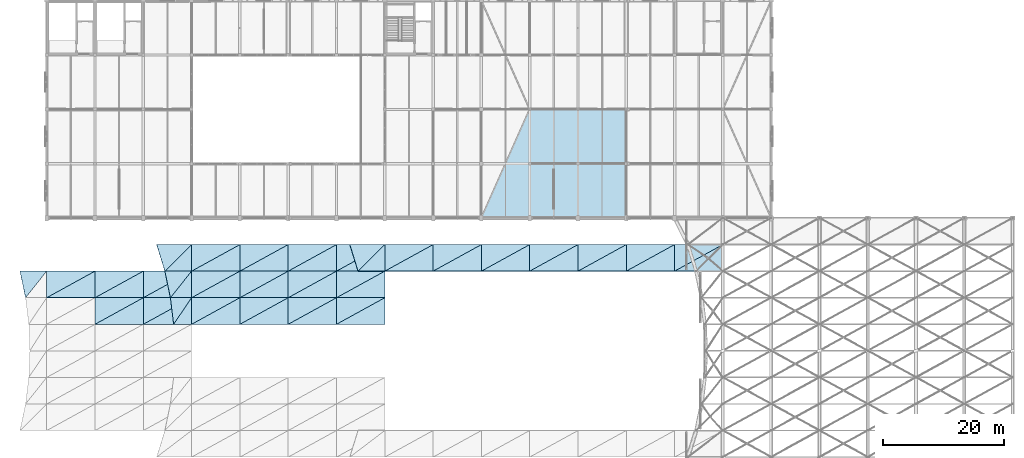
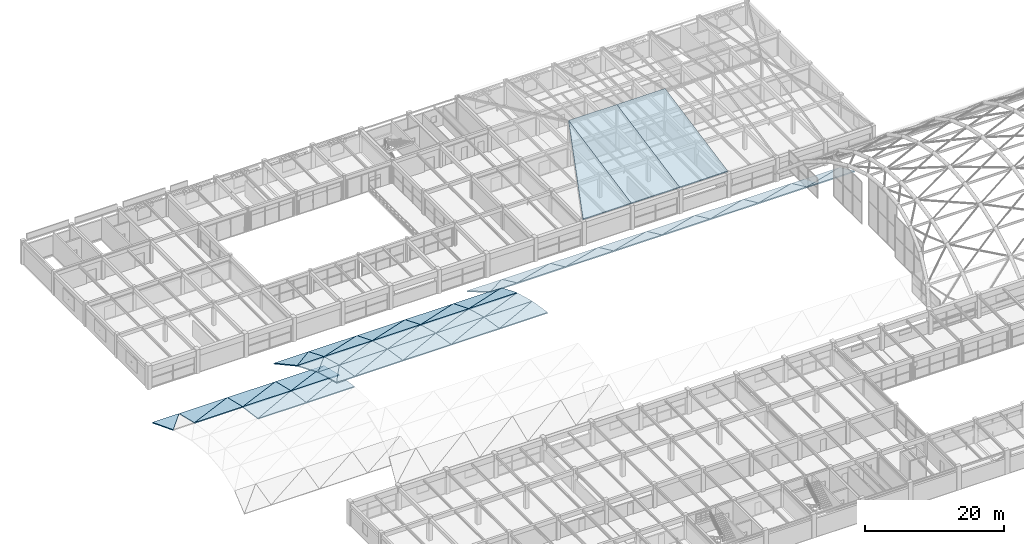
# One storey, part 106 of 126: 60 roofs.
"""IFC4 building model written with IfcOpenShell, lengths in metres."""

from ifc_helpers import new_model, si_unit, direction, frame, origin, place, context, subcontext, project, spatial, polyline, outline, extrude, material, layer, layer_set, type_object, element, save


model = new_model("IFC4")

# Units and contexts
model_context = context("Model", 3, precision=1e-05, world=origin(), true_north=direction((0.0, 1.0)))
body_context = subcontext(model_context, "Body", "Model", "MODEL_VIEW")
ifc_project = project(units=[si_unit("LENGTHUNIT", "METRE"), si_unit("AREAUNIT", "SQUARE_METRE"), si_unit("VOLUMEUNIT", "CUBIC_METRE"), si_unit("PLANEANGLEUNIT", "RADIAN"), si_unit("MASSUNIT", "GRAM", prefix="KILO")], contexts=[model_context])

# Site, building, storey
site_placement = place(None, origin())
site = spatial("IfcSite", under=ifc_project, at=site_placement, CompositionType="ELEMENT")
building_placement = place(site_placement, origin())
building = spatial("IfcBuilding", under=site, at=building_placement, Name="Varnabhumi Central Station", CompositionType="ELEMENT")
storey_placement = place(building_placement, frame((0.0, 0.0, 16.199951171875)))
storey = spatial("IfcBuildingStorey", under=building, at=storey_placement, Name="L03", CompositionType="ELEMENT", Elevation=16.199951171875)

# Roofs
ifc_material_1 = material(Name="Terracotta clay Mission barrel tile", Category="masonry")
ifc_layer_1 = layer(ifc_material_1, 0.179931640625, Name="Terracotta clay Mission barrel tile", Category="masonry")
ifc_layer_set_1 = layer_set([ifc_layer_1], Name="Terracotta clay Mission barrel tile")
roof_type_1 = type_object("IfcRoofType", Name="ROOF-MISSION-HIP", PredefinedType="HIP_ROOF", material=ifc_layer_set_1)
roof_1_placement = place(storey_placement, frame((96.0, 80.0, 4.402099609375), z_axis=(0.0, -0.193651232285, 0.981070435919), x_axis=(1.0, 0.0, 0.0)))
element("IfcRoof", 1, at=roof_1_placement, inside=storey, type_object=roof_type_1, Name="Clay Barrel-Tile Roof Slope NW4-1S", PredefinedType="HIP_ROOF", context=body_context, shape_type="SweptSolid", body=[
    extrude(outline(polyline([(0.0, 0.0), (8.0, 0.0), (8.0, 18.347306514376786), (0.0, 0.0)])), origin(), (0.0, 0.0, -1.0), 0.179931640625),
])
for number, where, z_axis, x_axis, name in (
    (2, (104.0, 80.0, 4.402099609375), (0.0, -0.193651232285, 0.981070435919), (1.0, 0.0, 0.0), "Clay Barrel-Tile Roof Slope NW4-2S"),
    (3, (112.0, 80.0, 4.402099609375), (0.0, -0.193651232285, 0.981070435919), (1.0, 0.0, 0.0), "Clay Barrel-Tile Roof Slope NW4-3S"),
):
    element("IfcRoof", number, at=place(storey_placement, frame(where, z_axis=z_axis, x_axis=x_axis)), inside=storey, type_object=roof_type_1, Name=name, PredefinedType="HIP_ROOF", context=body_context, shape_type="SweptSolid", body=[
        extrude(outline(polyline([(0.0, 0.0), (8.0, 0.0), (8.0, 18.347306514376786), (0.0, 18.347306514376786), (0.0, 0.0)])), origin(), (0.0, 0.0, -1.0), 0.179931640625),
    ])
ifc_material_2 = material(Name="Champagne bronze diamond metal panel")
ifc_layer_2 = layer(ifc_material_2, 0.159912109375, Name="Champagne bronze diamond metal panel")
ifc_layer_set_2 = layer_set([ifc_layer_2], Name="Champagne bronze diamond metal panel")
roof_type_2 = type_object("IfcRoofType", Name="ROOF-VAULT-BARREL", PredefinedType="BARREL_ROOF", material=ifc_layer_set_2)
roof_2_placement = place(storey_placement, frame((20.491455078125, 66.800048828125, 1.933837890625), z_axis=(0.0, 0.2331035559, 0.972451917694), x_axis=(0.612792348255, 0.76847426764, -0.184208680291)))
element("IfcRoof", 4, at=roof_2_placement, inside=storey, type_object=roof_type_2, Name="Entrance Portico Vault Diamond Shell Panel 1-8B", PredefinedType="BARREL_ROOF", context=body_context, shape_type="SweptSolid", body=[
    extrude(outline(polyline([(0.0, 0.0), (5.725503805431261, 2.7755575615628914e-16), (3.0153638179690674, 3.494938863039275), (0.0, 0.0)])), origin(), (0.0, 0.0, -1.0), 0.159912109375),
])
roof_3_placement = place(storey_placement, frame((24.0, 66.800048828125, 1.933837890625), z_axis=(0.0, 0.2331035559, 0.972451917694), x_axis=(1.0, 0.0, 0.0)))
element("IfcRoof", 5, at=roof_3_placement, inside=storey, type_object=roof_type_2, Name="Entrance Portico Vault Diamond Shell Panel 2-8A", PredefinedType="BARREL_ROOF", context=body_context, shape_type="SweptSolid", body=[
    extrude(outline(polyline([(0.0, 0.0), (8.0, 0.0), (8.0, 4.524544878459379), (0.0, 0.0)])), origin(), (0.0, 0.0, -1.0), 0.159912109375),
])
roof_4_placement = place(storey_placement, frame((24.0, 66.800048828125, 1.933837890625), z_axis=(0.0, 0.2331035559, 0.972451917694), x_axis=(0.870432037619, 0.478726995299, -0.114754223709)))
element("IfcRoof", 6, at=roof_4_placement, inside=storey, type_object=roof_type_2, Name="Entrance Portico Vault Diamond Shell Panel 2-8B", PredefinedType="BARREL_ROOF", context=body_context, shape_type="SweptSolid", body=[
    extrude(outline(polyline([(0.0, 0.0), (9.190838174899664, -4.718447854656915e-16), (2.2273818739515, 3.9383088178538386), (0.0, 0.0)])), origin(), (0.0, 0.0, -1.0), 0.159912109375),
])
roof_5_placement = place(storey_placement, frame((32.0, 62.39990234375, 2.5458984375), z_axis=(0.0, 0.138420407303, 0.99037356126), x_axis=(1.0, 0.0, 0.0)))
element("IfcRoof", 7, at=roof_5_placement, inside=storey, type_object=roof_type_2, Name="Entrance Portico Vault Diamond Shell Panel 3-7A", PredefinedType="BARREL_ROOF", context=body_context, shape_type="SweptSolid", body=[
    extrude(outline(polyline([(0.0, 0.0), (8.0, 0.0), (8.0, 4.442915942524041), (0.0, 0.0)])), origin(), (0.0, 0.0, -1.0), 0.159912109375),
])
roof_6_placement = place(storey_placement, frame((32.0, 62.39990234375, 2.5458984375), z_axis=(0.0, 0.138420407303, 0.99037356126), x_axis=(0.874228176797, 0.480841504835, -0.067205223918)))
element("IfcRoof", 8, at=roof_6_placement, inside=storey, type_object=roof_type_2, Name="Entrance Portico Vault Diamond Shell Panel 3-7B", PredefinedType="BARREL_ROOF", context=body_context, shape_type="SweptSolid", body=[
    extrude(outline(polyline([(0.0, 0.0), (9.15092902782741, -1.8041124150158794e-16), (2.157103613448174, 3.8841223040969144), (0.0, 0.0)])), origin(), (0.0, 0.0, -1.0), 0.159912109375),
])
roof_7_placement = place(storey_placement, frame((32.0, 66.800048828125, 1.933837890625), z_axis=(0.0, 0.2331035559, 0.972451917694), x_axis=(1.0, 0.0, 0.0)))
element("IfcRoof", 9, at=roof_7_placement, inside=storey, type_object=roof_type_2, Name="Entrance Portico Vault Diamond Shell Panel 3-8A", PredefinedType="BARREL_ROOF", context=body_context, shape_type="SweptSolid", body=[
    extrude(outline(polyline([(0.0, 0.0), (8.0, 0.0), (8.0, 4.524544878459379), (0.0, 0.0)])), origin(), (0.0, 0.0, -1.0), 0.159912109375),
])
roof_8_placement = place(storey_placement, frame((32.0, 66.800048828125, 1.933837890625), z_axis=(0.0, 0.2331035559, 0.972451917694), x_axis=(0.870432037619, 0.478726995299, -0.114754223709)))
element("IfcRoof", 10, at=roof_8_placement, inside=storey, type_object=roof_type_2, Name="Entrance Portico Vault Diamond Shell Panel 3-8B", PredefinedType="BARREL_ROOF", context=body_context, shape_type="SweptSolid", body=[
    extrude(outline(polyline([(0.0, 0.0), (9.190838174899664, -4.718447854656915e-16), (2.2273818739515, 3.9383088178538386), (0.0, 0.0)])), origin(), (0.0, 0.0, -1.0), 0.159912109375),
])
roof_9_placement = place(storey_placement, frame((40.0, 62.39990234375, 2.5458984375), z_axis=(0.0, 0.138420407303, 0.99037356126), x_axis=(1.0, 0.0, 0.0)))
element("IfcRoof", 11, at=roof_9_placement, inside=storey, type_object=roof_type_2, Name="Entrance Portico Vault Diamond Shell Panel 4-7A", PredefinedType="BARREL_ROOF", context=body_context, shape_type="SweptSolid", body=[
    extrude(outline(polyline([(0.0, 0.0), (8.0, 0.0), (8.0, 4.442915942524041), (0.0, 0.0)])), origin(), (0.0, 0.0, -1.0), 0.159912109375),
])
roof_10_placement = place(storey_placement, frame((40.0, 62.39990234375, 2.5458984375), z_axis=(0.0, 0.138420407303, 0.99037356126), x_axis=(0.874228176797, 0.480841504835, -0.067205223918)))
element("IfcRoof", 12, at=roof_10_placement, inside=storey, type_object=roof_type_2, Name="Entrance Portico Vault Diamond Shell Panel 4-7B", PredefinedType="BARREL_ROOF", context=body_context, shape_type="SweptSolid", body=[
    extrude(outline(polyline([(0.0, 0.0), (9.15092902782741, -1.8041124150158794e-16), (2.157103613448174, 3.8841223040969144), (0.0, 0.0)])), origin(), (0.0, 0.0, -1.0), 0.159912109375),
])
roof_11_placement = place(storey_placement, frame((40.0, 66.800048828125, 1.933837890625), z_axis=(0.0, 0.2331035559, 0.972451917694), x_axis=(1.0, 0.0, 0.0)))
element("IfcRoof", 13, at=roof_11_placement, inside=storey, type_object=roof_type_2, Name="Entrance Portico Vault Diamond Shell Panel 4-8A", PredefinedType="BARREL_ROOF", context=body_context, shape_type="SweptSolid", body=[
    extrude(outline(polyline([(0.0, 0.0), (8.0, 0.0), (8.0, 4.524544878459379), (0.0, 0.0)])), origin(), (0.0, 0.0, -1.0), 0.159912109375),
])
roof_12_placement = place(storey_placement, frame((40.0, 66.800048828125, 1.933837890625), z_axis=(0.0, 0.2331035559, 0.972451917694), x_axis=(0.870432037619, 0.478726995299, -0.114754223709)))
element("IfcRoof", 14, at=roof_12_placement, inside=storey, type_object=roof_type_2, Name="Entrance Portico Vault Diamond Shell Panel 4-8B", PredefinedType="BARREL_ROOF", context=body_context, shape_type="SweptSolid", body=[
    extrude(outline(polyline([(0.0, 0.0), (9.190838174899664, -4.718447854656915e-16), (2.2273818739515, 3.9383088178538386), (0.0, 0.0)])), origin(), (0.0, 0.0, -1.0), 0.159912109375),
])
roof_13_placement = place(storey_placement, frame((45.0244140625, 62.39990234375, 4.320068359375), z_axis=(0.0, 0.156457839535, 0.987684638155), x_axis=(1.0, 0.0, 0.0)))
element("IfcRoof", 15, at=roof_13_placement, inside=storey, type_object=roof_type_2, Name="Ticket Hall Vault Diamond Shell Panel 1-7A", PredefinedType="BARREL_ROOF", context=body_context, shape_type="SweptSolid", body=[
    extrude(outline(polyline([(0.0, 0.0), (2.9755859375, 0.0), (2.9755859375, 4.455011563805194), (0.0, 0.0)])), origin(), (0.0, 0.0, -1.0), 0.159912109375),
])
roof_14_placement = place(storey_placement, frame((45.0244140625, 62.39990234375, 4.320068359375), z_axis=(0.0, 0.156457839535, 0.987684638155), x_axis=(0.555420838405, 0.821328336935, -0.130105554122)))
element("IfcRoof", 16, at=roof_14_placement, inside=storey, type_object=roof_type_2, Name="Ticket Hall Vault Diamond Shell Panel 1-7B", PredefinedType="BARREL_ROOF", context=body_context, shape_type="SweptSolid", body=[
    extrude(outline(polyline([(0.0, 0.0), (5.357353796893179, 1.0408340855860843e-16), (3.408634834805476, 2.9175986488231516), (0.0, 0.0)])), origin(), (0.0, 0.0, -1.0), 0.159912109375),
])
roof_15_placement = place(storey_placement, frame((44.491455078125, 66.800048828125, 3.626708984375), z_axis=(0.0, 0.262165789998, 0.965022848722), x_axis=(1.0, 0.0, 0.0)))
element("IfcRoof", 17, at=roof_15_placement, inside=storey, type_object=roof_type_2, Name="Ticket Hall Vault Diamond Shell Panel 1-8A", PredefinedType="BARREL_ROOF", context=body_context, shape_type="SweptSolid", body=[
    extrude(outline(polyline([(0.0, 0.0), (3.508544921875, 0.0), (3.508544921875, 4.559376339719392), (0.0, 0.0)])), origin(), (0.0, 0.0, -1.0), 0.159912109375),
])
roof_16_placement = place(storey_placement, frame((44.491455078125, 66.800048828125, 3.626708984375), z_axis=(0.0, 0.262165789998, 0.965022848722), x_axis=(0.609856247604, 0.764792240924, -0.207769548972)))
element("IfcRoof", 18, at=roof_16_placement, inside=storey, type_object=roof_type_2, Name="Ticket Hall Vault Diamond Shell Panel 1-8B", PredefinedType="BARREL_ROOF", context=body_context, shape_type="SweptSolid", body=[
    extrude(outline(polyline([(0.0, 0.0), (5.753068752935936, 1.1102230246251565e-16), (3.0559139860043665, 3.504969696194555), (0.0, 0.0)])), origin(), (0.0, 0.0, -1.0), 0.159912109375),
])
roof_17_placement = place(storey_placement, frame((43.577392578125, 71.199951171875, 2.438232421875), z_axis=(0.0, 0.37554515505, 0.926804098242), x_axis=(1.0, 0.0, 0.0)))
element("IfcRoof", 19, at=roof_17_placement, inside=storey, type_object=roof_type_2, Name="Ticket Hall Vault Diamond Shell Panel 1-9A", PredefinedType="BARREL_ROOF", context=body_context, shape_type="SweptSolid", body=[
    extrude(outline(polyline([(0.0, 0.0), (4.422607421875, 0.0), (4.422607421875, 4.747655402819501), (0.0, 0.0)])), origin(), (0.0, 0.0, -1.0), 0.159912109375),
])
roof_18_placement = place(storey_placement, frame((43.577392578125, 71.199951171875, 2.438232421875), z_axis=(0.0, 0.37554515505, 0.926804098242), x_axis=(0.681614703944, 0.678153011823, -0.274790625609)))
element("IfcRoof", 20, at=roof_18_placement, inside=storey, type_object=roof_type_2, Name="Ticket Hall Vault Diamond Shell Panel 1-9B", PredefinedType="BARREL_ROOF", context=body_context, shape_type="SweptSolid", body=[
    extrude(outline(polyline([(0.0, 0.0), (6.48842725411521, -1.1102230246251565e-16), (2.5445140501431784, 4.23377863892578), (0.0, 0.0)])), origin(), (0.0, 0.0, -1.0), 0.159912109375),
])
roof_19_placement = place(storey_placement, frame((48.0, 62.39990234375, 4.320068359375), z_axis=(0.0, 0.156457839535, 0.987684638155), x_axis=(1.0, 0.0, 0.0)))
element("IfcRoof", 21, at=roof_19_placement, inside=storey, type_object=roof_type_2, Name="Ticket Hall Vault Diamond Shell Panel 2-7A", PredefinedType="BARREL_ROOF", context=body_context, shape_type="SweptSolid", body=[
    extrude(outline(polyline([(0.0, 0.0), (8.0, 0.0), (8.0, 4.455011563805194), (0.0, 0.0)])), origin(), (0.0, 0.0, -1.0), 0.159912109375),
])
roof_20_placement = place(storey_placement, frame((48.0, 62.39990234375, 4.320068359375), z_axis=(0.0, 0.156457839535, 0.987684638155), x_axis=(0.873666918095, 0.480532802271, -0.076120576512)))
element("IfcRoof", 22, at=roof_20_placement, inside=storey, type_object=roof_type_2, Name="Ticket Hall Vault Diamond Shell Panel 2-7B", PredefinedType="BARREL_ROOF", context=body_context, shape_type="SweptSolid", body=[
    extrude(outline(polyline([(0.0, 0.0), (9.156807742528944, 2.498001805406602e-16), (2.1674723977721726, 3.8921962230254725), (0.0, 0.0)])), origin(), (0.0, 0.0, -1.0), 0.159912109375),
])
roof_21_placement = place(storey_placement, frame((48.0, 66.800048828125, 3.626708984375), z_axis=(0.0, 0.262165789998, 0.965022848722), x_axis=(1.0, 0.0, 0.0)))
element("IfcRoof", 23, at=roof_21_placement, inside=storey, type_object=roof_type_2, Name="Ticket Hall Vault Diamond Shell Panel 2-8A", PredefinedType="BARREL_ROOF", context=body_context, shape_type="SweptSolid", body=[
    extrude(outline(polyline([(0.0, 0.0), (8.0, 0.0), (8.0, 4.559376339719391), (0.0, 0.0)])), origin(), (0.0, 0.0, -1.0), 0.159912109375),
])
roof_22_placement = place(storey_placement, frame((48.0, 66.800048828125, 3.626708984375), z_axis=(0.0, 0.262165789998, 0.965022848722), x_axis=(0.86880640757, 0.477832918616, -0.129811894881)))
element("IfcRoof", 24, at=roof_22_placement, inside=storey, type_object=roof_type_2, Name="Ticket Hall Vault Diamond Shell Panel 2-8B", PredefinedType="BARREL_ROOF", context=body_context, shape_type="SweptSolid", body=[
    extrude(outline(polyline([(0.0, 0.0), (9.208035219697686, 4.996003610813204e-16), (2.2575839591407965, 3.961215378469487), (0.0, 0.0)])), origin(), (0.0, 0.0, -1.0), 0.159912109375),
])
roof_23_placement = place(storey_placement, frame((48.0, 71.199951171875, 2.438232421875), z_axis=(0.0, 0.37554515505, 0.926804098242), x_axis=(1.0, 0.0, 0.0)))
element("IfcRoof", 25, at=roof_23_placement, inside=storey, type_object=roof_type_2, Name="Ticket Hall Vault Diamond Shell Panel 2-9A", PredefinedType="BARREL_ROOF", context=body_context, shape_type="SweptSolid", body=[
    extrude(outline(polyline([(0.0, 0.0), (8.0, 0.0), (8.0, 4.747655402819502), (0.0, 0.0)])), origin(), (0.0, 0.0, -1.0), 0.159912109375),
])
roof_24_placement = place(storey_placement, frame((48.0, 71.199951171875, 2.438232421875), z_axis=(0.0, 0.37554515505, 0.926804098242), x_axis=(0.859965363866, 0.472996696562, -0.19166037147)))
element("IfcRoof", 26, at=roof_24_placement, inside=storey, type_object=roof_type_2, Name="Ticket Hall Vault Diamond Shell Panel 2-9B", PredefinedType="BARREL_ROOF", context=body_context, shape_type="SweptSolid", body=[
    extrude(outline(polyline([(0.0, 0.0), (9.302700243688454, -3.3306690738754696e-16), (2.4229773327603397, 4.082819205996122), (0.0, 0.0)])), origin(), (0.0, 0.0, -1.0), 0.159912109375),
])
roof_25_placement = place(storey_placement, frame((56.0, 62.39990234375, 4.320068359375), z_axis=(0.0, 0.156457839535, 0.987684638155), x_axis=(1.0, 0.0, 0.0)))
element("IfcRoof", 27, at=roof_25_placement, inside=storey, type_object=roof_type_2, Name="Ticket Hall Vault Diamond Shell Panel 3-7A", PredefinedType="BARREL_ROOF", context=body_context, shape_type="SweptSolid", body=[
    extrude(outline(polyline([(0.0, 0.0), (8.0, 0.0), (8.0, 4.455011563805194), (0.0, 0.0)])), origin(), (0.0, 0.0, -1.0), 0.159912109375),
])
roof_26_placement = place(storey_placement, frame((56.0, 62.39990234375, 4.320068359375), z_axis=(0.0, 0.156457839535, 0.987684638155), x_axis=(0.873666918095, 0.480532802271, -0.076120576512)))
element("IfcRoof", 28, at=roof_26_placement, inside=storey, type_object=roof_type_2, Name="Ticket Hall Vault Diamond Shell Panel 3-7B", PredefinedType="BARREL_ROOF", context=body_context, shape_type="SweptSolid", body=[
    extrude(outline(polyline([(0.0, 0.0), (9.156807742528944, 2.498001805406602e-16), (2.1674723977721726, 3.8921962230254725), (0.0, 0.0)])), origin(), (0.0, 0.0, -1.0), 0.159912109375),
])
roof_27_placement = place(storey_placement, frame((56.0, 66.800048828125, 3.626708984375), z_axis=(0.0, 0.262165789998, 0.965022848722), x_axis=(1.0, 0.0, 0.0)))
element("IfcRoof", 29, at=roof_27_placement, inside=storey, type_object=roof_type_2, Name="Ticket Hall Vault Diamond Shell Panel 3-8A", PredefinedType="BARREL_ROOF", context=body_context, shape_type="SweptSolid", body=[
    extrude(outline(polyline([(0.0, 0.0), (8.0, 0.0), (8.0, 4.559376339719391), (0.0, 0.0)])), origin(), (0.0, 0.0, -1.0), 0.159912109375),
])
roof_28_placement = place(storey_placement, frame((56.0, 66.800048828125, 3.626708984375), z_axis=(0.0, 0.262165789998, 0.965022848722), x_axis=(0.86880640757, 0.477832918616, -0.129811894881)))
element("IfcRoof", 30, at=roof_28_placement, inside=storey, type_object=roof_type_2, Name="Ticket Hall Vault Diamond Shell Panel 3-8B", PredefinedType="BARREL_ROOF", context=body_context, shape_type="SweptSolid", body=[
    extrude(outline(polyline([(0.0, 0.0), (9.208035219697686, 4.996003610813204e-16), (2.2575839591407965, 3.961215378469487), (0.0, 0.0)])), origin(), (0.0, 0.0, -1.0), 0.159912109375),
])
roof_29_placement = place(storey_placement, frame((56.0, 71.199951171875, 2.438232421875), z_axis=(0.0, 0.37554515505, 0.926804098242), x_axis=(1.0, 0.0, 0.0)))
element("IfcRoof", 31, at=roof_29_placement, inside=storey, type_object=roof_type_2, Name="Ticket Hall Vault Diamond Shell Panel 3-9A", PredefinedType="BARREL_ROOF", context=body_context, shape_type="SweptSolid", body=[
    extrude(outline(polyline([(0.0, 0.0), (8.0, 0.0), (8.0, 4.747655402819502), (0.0, 0.0)])), origin(), (0.0, 0.0, -1.0), 0.159912109375),
])
roof_30_placement = place(storey_placement, frame((56.0, 71.199951171875, 2.438232421875), z_axis=(0.0, 0.37554515505, 0.926804098242), x_axis=(0.859965363866, 0.472996696562, -0.19166037147)))
element("IfcRoof", 32, at=roof_30_placement, inside=storey, type_object=roof_type_2, Name="Ticket Hall Vault Diamond Shell Panel 3-9B", PredefinedType="BARREL_ROOF", context=body_context, shape_type="SweptSolid", body=[
    extrude(outline(polyline([(0.0, 0.0), (9.302700243688454, -3.3306690738754696e-16), (2.4229773327603397, 4.082819205996122), (0.0, 0.0)])), origin(), (0.0, 0.0, -1.0), 0.159912109375),
])
roof_31_placement = place(storey_placement, frame((64.0, 62.39990234375, 4.320068359375), z_axis=(0.0, 0.156457839535, 0.987684638155), x_axis=(1.0, 0.0, 0.0)))
element("IfcRoof", 33, at=roof_31_placement, inside=storey, type_object=roof_type_2, Name="Ticket Hall Vault Diamond Shell Panel 4-7A", PredefinedType="BARREL_ROOF", context=body_context, shape_type="SweptSolid", body=[
    extrude(outline(polyline([(0.0, 0.0), (8.0, 0.0), (8.0, 4.455011563805194), (0.0, 0.0)])), origin(), (0.0, 0.0, -1.0), 0.159912109375),
])
roof_32_placement = place(storey_placement, frame((64.0, 62.39990234375, 4.320068359375), z_axis=(0.0, 0.156457839535, 0.987684638155), x_axis=(0.873666918095, 0.480532802271, -0.076120576512)))
element("IfcRoof", 34, at=roof_32_placement, inside=storey, type_object=roof_type_2, Name="Ticket Hall Vault Diamond Shell Panel 4-7B", PredefinedType="BARREL_ROOF", context=body_context, shape_type="SweptSolid", body=[
    extrude(outline(polyline([(0.0, 0.0), (9.156807742528944, 2.498001805406602e-16), (2.1674723977721726, 3.8921962230254725), (0.0, 0.0)])), origin(), (0.0, 0.0, -1.0), 0.159912109375),
])
roof_33_placement = place(storey_placement, frame((64.0, 66.800048828125, 3.626708984375), z_axis=(0.0, 0.262165789998, 0.965022848722), x_axis=(1.0, 0.0, 0.0)))
element("IfcRoof", 35, at=roof_33_placement, inside=storey, type_object=roof_type_2, Name="Ticket Hall Vault Diamond Shell Panel 4-8A", PredefinedType="BARREL_ROOF", context=body_context, shape_type="SweptSolid", body=[
    extrude(outline(polyline([(0.0, 0.0), (8.0, 0.0), (8.0, 4.559376339719391), (0.0, 0.0)])), origin(), (0.0, 0.0, -1.0), 0.159912109375),
])
roof_34_placement = place(storey_placement, frame((64.0, 66.800048828125, 3.626708984375), z_axis=(0.0, 0.262165789998, 0.965022848722), x_axis=(0.86880640757, 0.477832918616, -0.129811894881)))
element("IfcRoof", 36, at=roof_34_placement, inside=storey, type_object=roof_type_2, Name="Ticket Hall Vault Diamond Shell Panel 4-8B", PredefinedType="BARREL_ROOF", context=body_context, shape_type="SweptSolid", body=[
    extrude(outline(polyline([(0.0, 0.0), (9.208035219697686, 4.996003610813204e-16), (2.2575839591407965, 3.961215378469487), (0.0, 0.0)])), origin(), (0.0, 0.0, -1.0), 0.159912109375),
])
roof_35_placement = place(storey_placement, frame((64.0, 71.199951171875, 2.438232421875), z_axis=(0.0, 0.37554515505, 0.926804098242), x_axis=(1.0, 0.0, 0.0)))
element("IfcRoof", 37, at=roof_35_placement, inside=storey, type_object=roof_type_2, Name="Ticket Hall Vault Diamond Shell Panel 4-9A", PredefinedType="BARREL_ROOF", context=body_context, shape_type="SweptSolid", body=[
    extrude(outline(polyline([(0.0, 0.0), (8.0, 0.0), (8.0, 4.747655402819502), (0.0, 0.0)])), origin(), (0.0, 0.0, -1.0), 0.159912109375),
])
roof_36_placement = place(storey_placement, frame((64.0, 71.199951171875, 2.438232421875), z_axis=(0.0, 0.37554515505, 0.926804098242), x_axis=(0.859965363866, 0.472996696562, -0.19166037147)))
element("IfcRoof", 38, at=roof_36_placement, inside=storey, type_object=roof_type_2, Name="Ticket Hall Vault Diamond Shell Panel 4-9B", PredefinedType="BARREL_ROOF", context=body_context, shape_type="SweptSolid", body=[
    extrude(outline(polyline([(0.0, 0.0), (9.302700243688454, -3.3306690738754696e-16), (2.4229773327603397, 4.082819205996122), (0.0, 0.0)])), origin(), (0.0, 0.0, -1.0), 0.159912109375),
])
roof_37_placement = place(storey_placement, frame((72.0, 62.39990234375, 4.320068359375), z_axis=(0.0, 0.156457839535, 0.987684638155), x_axis=(1.0, 0.0, 0.0)))
element("IfcRoof", 39, at=roof_37_placement, inside=storey, type_object=roof_type_2, Name="Ticket Hall Vault Diamond Shell Panel 5-7A", PredefinedType="BARREL_ROOF", context=body_context, shape_type="SweptSolid", body=[
    extrude(outline(polyline([(0.0, 0.0), (8.0, 0.0), (8.0, 4.455011563805194), (0.0, 0.0)])), origin(), (0.0, 0.0, -1.0), 0.159912109375),
])
roof_38_placement = place(storey_placement, frame((72.0, 62.39990234375, 4.320068359375), z_axis=(0.0, 0.156457839535, 0.987684638155), x_axis=(0.873666918095, 0.480532802271, -0.076120576512)))
element("IfcRoof", 40, at=roof_38_placement, inside=storey, type_object=roof_type_2, Name="Ticket Hall Vault Diamond Shell Panel 5-7B", PredefinedType="BARREL_ROOF", context=body_context, shape_type="SweptSolid", body=[
    extrude(outline(polyline([(0.0, 0.0), (9.156807742528944, 2.498001805406602e-16), (2.1674723977721726, 3.8921962230254725), (0.0, 0.0)])), origin(), (0.0, 0.0, -1.0), 0.159912109375),
])
roof_39_placement = place(storey_placement, frame((72.0, 66.800048828125, 3.626708984375), z_axis=(0.0, 0.262165789998, 0.965022848722), x_axis=(1.0, 0.0, 0.0)))
element("IfcRoof", 41, at=roof_39_placement, inside=storey, type_object=roof_type_2, Name="Ticket Hall Vault Diamond Shell Panel 5-8A", PredefinedType="BARREL_ROOF", context=body_context, shape_type="SweptSolid", body=[
    extrude(outline(polyline([(0.0, 0.0), (8.0, 0.0), (8.0, 4.559376339719391), (0.0, 0.0)])), origin(), (0.0, 0.0, -1.0), 0.159912109375),
])
roof_40_placement = place(storey_placement, frame((72.0, 66.800048828125, 3.626708984375), z_axis=(0.0, 0.262165789998, 0.965022848722), x_axis=(0.86880640757, 0.477832918616, -0.129811894881)))
element("IfcRoof", 42, at=roof_40_placement, inside=storey, type_object=roof_type_2, Name="Ticket Hall Vault Diamond Shell Panel 5-8B", PredefinedType="BARREL_ROOF", context=body_context, shape_type="SweptSolid", body=[
    extrude(outline(polyline([(0.0, 0.0), (9.208035219697686, 4.996003610813204e-16), (2.2575839591407965, 3.961215378469487), (0.0, 0.0)])), origin(), (0.0, 0.0, -1.0), 0.159912109375),
])
roof_41_placement = place(storey_placement, frame((72.0, 71.199951171875, 2.438232421875), z_axis=(0.0, 0.37554515505, 0.926804098242), x_axis=(1.0, 0.0, 0.0)))
element("IfcRoof", 43, at=roof_41_placement, inside=storey, type_object=roof_type_2, Name="Ticket Hall Vault Diamond Shell Panel 5-9A", PredefinedType="BARREL_ROOF", context=body_context, shape_type="SweptSolid", body=[
    extrude(outline(polyline([(0.0, 0.0), (8.0, 0.0), (8.0, 4.747655402819502), (0.0, 0.0)])), origin(), (0.0, 0.0, -1.0), 0.159912109375),
])
roof_42_placement = place(storey_placement, frame((72.0, 71.199951171875, 2.438232421875), z_axis=(0.0, 0.37554515505, 0.926804098242), x_axis=(0.859965363866, 0.472996696562, -0.19166037147)))
element("IfcRoof", 44, at=roof_42_placement, inside=storey, type_object=roof_type_2, Name="Ticket Hall Vault Diamond Shell Panel 5-9B", PredefinedType="BARREL_ROOF", context=body_context, shape_type="SweptSolid", body=[
    extrude(outline(polyline([(0.0, 0.0), (9.302700243688454, -3.3306690738754696e-16), (2.4229773327603397, 4.082819205996122), (0.0, 0.0)])), origin(), (0.0, 0.0, -1.0), 0.159912109375),
])
roof_43_placement = place(storey_placement, frame((75.577392578125, 71.199951171875, 4.1552734375), z_axis=(0.0, 0.421449816984, 0.906851725347), x_axis=(1.0, 0.0, 0.0)))
element("IfcRoof", 45, at=roof_43_placement, inside=storey, type_object=roof_type_2, Name="Departure Concourse Vault Diamond Shell Panel 1-9A", PredefinedType="BARREL_ROOF", context=body_context, shape_type="SweptSolid", body=[
    extrude(outline(polyline([(0.0, 0.0), (4.422607421875, 0.0), (4.422607421875, 4.852112381098689), (0.0, 0.0)])), origin(), (0.0, 0.0, -1.0), 0.159912109375),
])
roof_44_placement = place(storey_placement, frame((75.577392578125, 71.199951171875, 4.1552734375), z_axis=(0.0, 0.421449816984, 0.906851725347), x_axis=(0.673639286459, 0.670218098805, -0.311476823814)))
element("IfcRoof", 46, at=roof_44_placement, inside=storey, type_object=roof_type_2, Name="Departure Concourse Vault Diamond Shell Panel 1-9B", PredefinedType="BARREL_ROOF", context=body_context, shape_type="SweptSolid", body=[
    extrude(outline(polyline([(0.0, 0.0), (6.565245689754118, -3.3306690738754696e-16), (2.66747931058372, 4.276300992364552), (0.0, 0.0)])), origin(), (0.0, 0.0, -1.0), 0.159912109375),
])
roof_45_placement = place(storey_placement, frame((80.0, 71.199951171875, 4.1552734375), z_axis=(0.0, 0.421449816984, 0.906851725347), x_axis=(1.0, 0.0, 0.0)))
element("IfcRoof", 47, at=roof_45_placement, inside=storey, type_object=roof_type_2, Name="Departure Concourse Vault Diamond Shell Panel 2-9A", PredefinedType="BARREL_ROOF", context=body_context, shape_type="SweptSolid", body=[
    extrude(outline(polyline([(0.0, 0.0), (8.0, 0.0), (8.0, 4.852112381098689), (0.0, 0.0)])), origin(), (0.0, 0.0, -1.0), 0.159912109375),
])
roof_46_placement = place(storey_placement, frame((80.0, 71.199951171875, 4.1552734375), z_axis=(0.0, 0.421449816984, 0.906851725347), x_axis=(0.855025934416, 0.470279919921, -0.218557654623)))
element("IfcRoof", 48, at=roof_46_placement, inside=storey, type_object=roof_type_2, Name="Departure Concourse Vault Diamond Shell Panel 2-9B", PredefinedType="BARREL_ROOF", context=body_context, shape_type="SweptSolid", body=[
    extrude(outline(polyline([(0.0, 0.0), (9.35644134053173, -1.1102230246251565e-16), (2.516233865200851, 4.148681922542095), (0.0, 0.0)])), origin(), (0.0, 0.0, -1.0), 0.159912109375),
])
roof_47_placement = place(storey_placement, frame((88.0, 71.199951171875, 4.1552734375), z_axis=(0.0, 0.421449816984, 0.906851725347), x_axis=(1.0, 0.0, 0.0)))
element("IfcRoof", 49, at=roof_47_placement, inside=storey, type_object=roof_type_2, Name="Departure Concourse Vault Diamond Shell Panel 3-9A", PredefinedType="BARREL_ROOF", context=body_context, shape_type="SweptSolid", body=[
    extrude(outline(polyline([(0.0, 0.0), (8.0, 0.0), (8.0, 4.852112381098689), (0.0, 0.0)])), origin(), (0.0, 0.0, -1.0), 0.159912109375),
])
roof_48_placement = place(storey_placement, frame((88.0, 71.199951171875, 4.1552734375), z_axis=(0.0, 0.421449816984, 0.906851725347), x_axis=(0.855025934416, 0.470279919921, -0.218557654623)))
element("IfcRoof", 50, at=roof_48_placement, inside=storey, type_object=roof_type_2, Name="Departure Concourse Vault Diamond Shell Panel 3-9B", PredefinedType="BARREL_ROOF", context=body_context, shape_type="SweptSolid", body=[
    extrude(outline(polyline([(0.0, 0.0), (9.35644134053173, -1.1102230246251565e-16), (2.516233865200851, 4.148681922542095), (0.0, 0.0)])), origin(), (0.0, 0.0, -1.0), 0.159912109375),
])
roof_49_placement = place(storey_placement, frame((96.0, 71.199951171875, 4.1552734375), z_axis=(0.0, 0.421449816984, 0.906851725347), x_axis=(1.0, 0.0, 0.0)))
element("IfcRoof", 51, at=roof_49_placement, inside=storey, type_object=roof_type_2, Name="Departure Concourse Vault Diamond Shell Panel 4-9A", PredefinedType="BARREL_ROOF", context=body_context, shape_type="SweptSolid", body=[
    extrude(outline(polyline([(0.0, 0.0), (8.0, 0.0), (8.0, 4.852112381098689), (0.0, 0.0)])), origin(), (0.0, 0.0, -1.0), 0.159912109375),
])
roof_50_placement = place(storey_placement, frame((96.0, 71.199951171875, 4.1552734375), z_axis=(0.0, 0.421449816984, 0.906851725347), x_axis=(0.855025934416, 0.470279919921, -0.218557654623)))
element("IfcRoof", 52, at=roof_50_placement, inside=storey, type_object=roof_type_2, Name="Departure Concourse Vault Diamond Shell Panel 4-9B", PredefinedType="BARREL_ROOF", context=body_context, shape_type="SweptSolid", body=[
    extrude(outline(polyline([(0.0, 0.0), (9.35644134053173, -1.1102230246251565e-16), (2.516233865200851, 4.148681922542095), (0.0, 0.0)])), origin(), (0.0, 0.0, -1.0), 0.159912109375),
])
roof_51_placement = place(storey_placement, frame((104.0, 71.199951171875, 4.1552734375), z_axis=(0.0, 0.421449816984, 0.906851725347), x_axis=(1.0, 0.0, 0.0)))
element("IfcRoof", 53, at=roof_51_placement, inside=storey, type_object=roof_type_2, Name="Departure Concourse Vault Diamond Shell Panel 5-9A", PredefinedType="BARREL_ROOF", context=body_context, shape_type="SweptSolid", body=[
    extrude(outline(polyline([(0.0, 0.0), (8.0, 0.0), (8.0, 4.852112381098689), (0.0, 0.0)])), origin(), (0.0, 0.0, -1.0), 0.159912109375),
])
roof_52_placement = place(storey_placement, frame((104.0, 71.199951171875, 4.1552734375), z_axis=(0.0, 0.421449816984, 0.906851725347), x_axis=(0.855025934416, 0.470279919921, -0.218557654623)))
element("IfcRoof", 54, at=roof_52_placement, inside=storey, type_object=roof_type_2, Name="Departure Concourse Vault Diamond Shell Panel 5-9B", PredefinedType="BARREL_ROOF", context=body_context, shape_type="SweptSolid", body=[
    extrude(outline(polyline([(0.0, 0.0), (9.35644134053173, -1.1102230246251565e-16), (2.516233865200851, 4.148681922542095), (0.0, 0.0)])), origin(), (0.0, 0.0, -1.0), 0.159912109375),
])
roof_53_placement = place(storey_placement, frame((112.0, 71.199951171875, 4.1552734375), z_axis=(0.0, 0.421449816984, 0.906851725347), x_axis=(1.0, 0.0, 0.0)))
element("IfcRoof", 55, at=roof_53_placement, inside=storey, type_object=roof_type_2, Name="Departure Concourse Vault Diamond Shell Panel 6-9A", PredefinedType="BARREL_ROOF", context=body_context, shape_type="SweptSolid", body=[
    extrude(outline(polyline([(0.0, 0.0), (8.0, 0.0), (8.0, 4.852112381098689), (0.0, 0.0)])), origin(), (0.0, 0.0, -1.0), 0.159912109375),
])
roof_54_placement = place(storey_placement, frame((112.0, 71.199951171875, 4.1552734375), z_axis=(0.0, 0.421449816984, 0.906851725347), x_axis=(0.855025934416, 0.470279919921, -0.218557654623)))
element("IfcRoof", 56, at=roof_54_placement, inside=storey, type_object=roof_type_2, Name="Departure Concourse Vault Diamond Shell Panel 6-9B", PredefinedType="BARREL_ROOF", context=body_context, shape_type="SweptSolid", body=[
    extrude(outline(polyline([(0.0, 0.0), (9.35644134053173, -1.1102230246251565e-16), (2.516233865200851, 4.148681922542095), (0.0, 0.0)])), origin(), (0.0, 0.0, -1.0), 0.159912109375),
])
roof_55_placement = place(storey_placement, frame((120.0, 71.199951171875, 4.1552734375), z_axis=(0.0, 0.421449816984, 0.906851725347), x_axis=(1.0, 0.0, 0.0)))
element("IfcRoof", 57, at=roof_55_placement, inside=storey, type_object=roof_type_2, Name="Departure Concourse Vault Diamond Shell Panel 7-9A", PredefinedType="BARREL_ROOF", context=body_context, shape_type="SweptSolid", body=[
    extrude(outline(polyline([(0.0, 0.0), (8.0, 0.0), (8.0, 4.852112381098689), (0.0, 0.0)])), origin(), (0.0, 0.0, -1.0), 0.159912109375),
])
roof_56_placement = place(storey_placement, frame((120.0, 71.199951171875, 4.1552734375), z_axis=(0.0, 0.421449816984, 0.906851725347), x_axis=(0.855025934416, 0.470279919921, -0.218557654623)))
element("IfcRoof", 58, at=roof_56_placement, inside=storey, type_object=roof_type_2, Name="Departure Concourse Vault Diamond Shell Panel 7-9B", PredefinedType="BARREL_ROOF", context=body_context, shape_type="SweptSolid", body=[
    extrude(outline(polyline([(0.0, 0.0), (9.35644134053173, -1.1102230246251565e-16), (2.516233865200851, 4.148681922542095), (0.0, 0.0)])), origin(), (0.0, 0.0, -1.0), 0.159912109375),
])
roof_57_placement = place(storey_placement, frame((128.0, 71.199951171875, 4.1552734375), z_axis=(0.0, 0.421449816984, 0.906851725347), x_axis=(1.0, 0.0, 0.0)))
element("IfcRoof", 59, at=roof_57_placement, inside=storey, type_object=roof_type_2, Name="Departure Concourse Vault Diamond Shell Panel 8-9A", PredefinedType="BARREL_ROOF", context=body_context, shape_type="SweptSolid", body=[
    extrude(outline(polyline([(0.0, 0.0), (8.0, 0.0), (8.0, 4.852112381098689), (0.0, 0.0)])), origin(), (0.0, 0.0, -1.0), 0.159912109375),
])
roof_58_placement = place(storey_placement, frame((128.0, 71.199951171875, 4.1552734375), z_axis=(0.0, 0.421449816984, 0.906851725347), x_axis=(0.855025934416, 0.470279919921, -0.218557654623)))
element("IfcRoof", 60, at=roof_58_placement, inside=storey, type_object=roof_type_2, Name="Departure Concourse Vault Diamond Shell Panel 8-9B", PredefinedType="BARREL_ROOF", context=body_context, shape_type="SweptSolid", body=[
    extrude(outline(polyline([(0.0, 0.0), (9.35644134053173, -1.1102230246251565e-16), (2.516233865200851, 4.148681922542095), (0.0, 0.0)])), origin(), (0.0, 0.0, -1.0), 0.159912109375),
])

save(model, "model.ifc")
